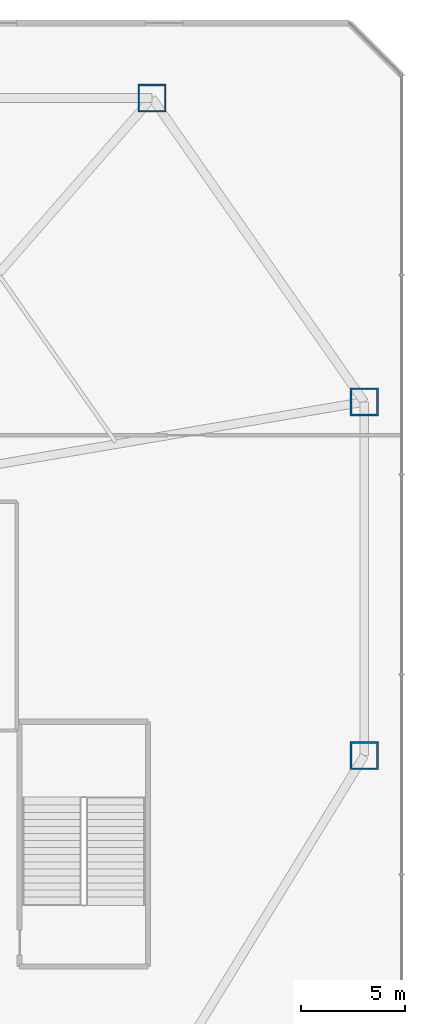
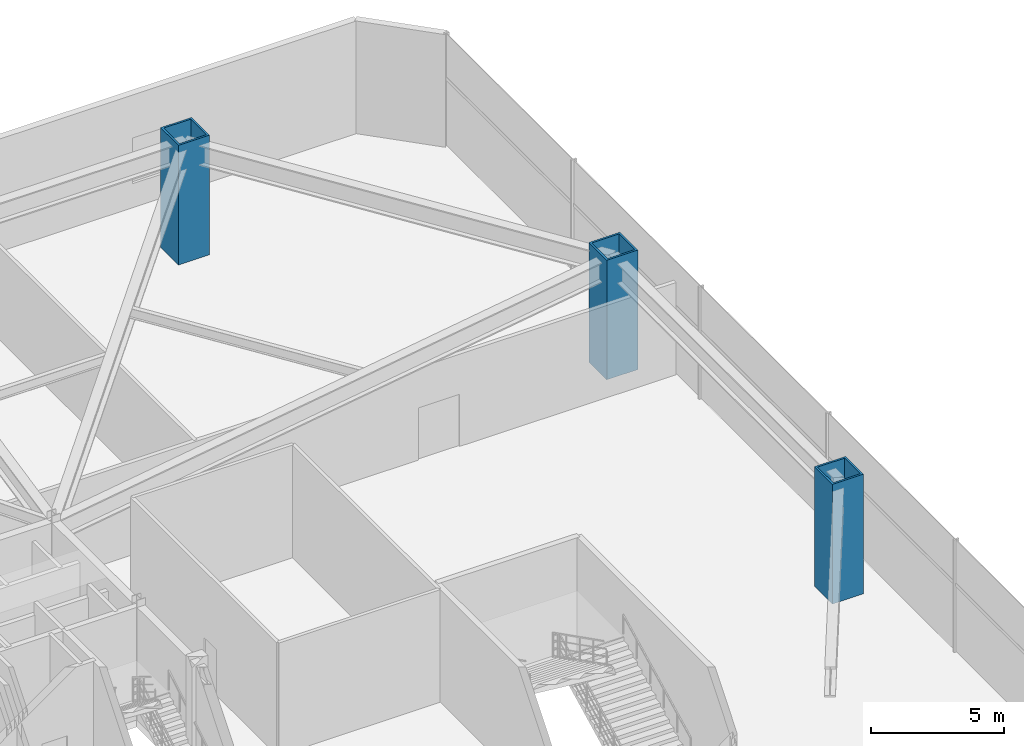
# One storey, part 4 of 20: 3 columns.
"""IFC4 building model written with IfcOpenShell, lengths in metres."""

from ifc_helpers import new_model, si_unit, direction, frame, origin, origin_2d, place, context, subcontext, project, spatial, hollow_rectangle, extrude, material, material_profile, profile_set, type_object, element, save


model = new_model("IFC4")

# Units and contexts
model_context = context("Model", 3, precision=1e-05, world=origin(), true_north=direction((0.0, 1.0)))
body_context = subcontext(model_context, "Body", "Model", "MODEL_VIEW")
ifc_project = project(units=[si_unit("LENGTHUNIT", "METRE"), si_unit("AREAUNIT", "SQUARE_METRE"), si_unit("VOLUMEUNIT", "CUBIC_METRE"), si_unit("PLANEANGLEUNIT", "RADIAN"), si_unit("MASSUNIT", "GRAM", prefix="KILO")], contexts=[model_context])

# Site, building, storey
site_placement = place(None, origin())
site = spatial("IfcSite", under=ifc_project, at=site_placement, CompositionType="ELEMENT")
building_placement = place(site_placement, origin())
building = spatial("IfcBuilding", under=site, at=building_placement, Name="Varakhsha Concourse Tower", CompositionType="ELEMENT")
storey_placement = place(building_placement, frame((0.0, 0.0, 16.5)))
storey = spatial("IfcBuildingStorey", under=building, at=storey_placement, Name="L04", CompositionType="ELEMENT", Elevation=16.5)

# Columns
ifc_material = material(Name="Structural Steel ASTM A572 Grade 50", Category="steel")
ifc_material_profile = material_profile(ifc_material, hollow_rectangle(XDim=1.35009765625, YDim=1.35009765625, WallThickness=0.0849609375, at=origin_2d()), Name="BOX 1350x1350x85")
ifc_profile_set = profile_set([ifc_material_profile], Name="Structural Steel ASTM A572 Grade 50")
column_type = type_object("IfcColumnType", Name="CL-STILT-1350", PredefinedType="COLUMN", material=ifc_profile_set)
for number, where, z_axis, x_axis, name in (
    (1, (75.199951171875, 18.800048828125, 0.0), (0.0, 0.0, 1.0), (1.0, 0.0, 0.0), "L04 Podium Mega-Column PC-E1"),
    (2, (75.199951171875, 35.800048828125, 0.0), (0.0, 0.0, 1.0), (1.0, 0.0, 0.0), "L04 Podium Mega-Column PC-E2"),
    (3, (65.0, 50.39990234375, 0.0), (0.0, 0.0, 1.0), (1.0, 0.0, 0.0), "L04 Podium Mega-Column PC-N4"),
):
    element("IfcColumn", number, at=place(storey_placement, frame(where, z_axis=z_axis, x_axis=x_axis)), inside=storey, type_object=column_type, Name=name, PredefinedType="COLUMN", context=body_context, shape_type="SweptSolid", body=[
        extrude(hollow_rectangle(XDim=1.35009765625, YDim=1.35009765625, WallThickness=0.0849609375, at=origin_2d()), origin(), (0.0, 0.0, 1.0), 5.5),
    ])

save(model, "model.ifc")
